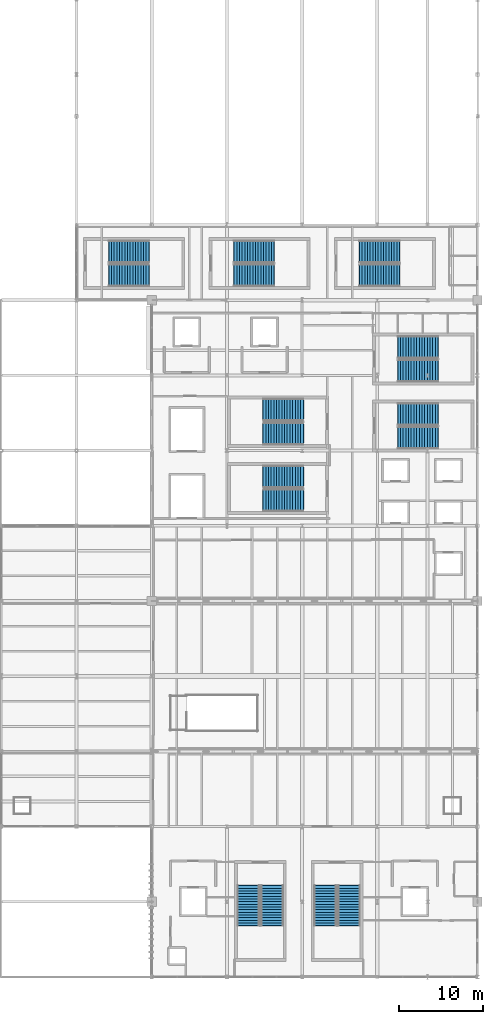
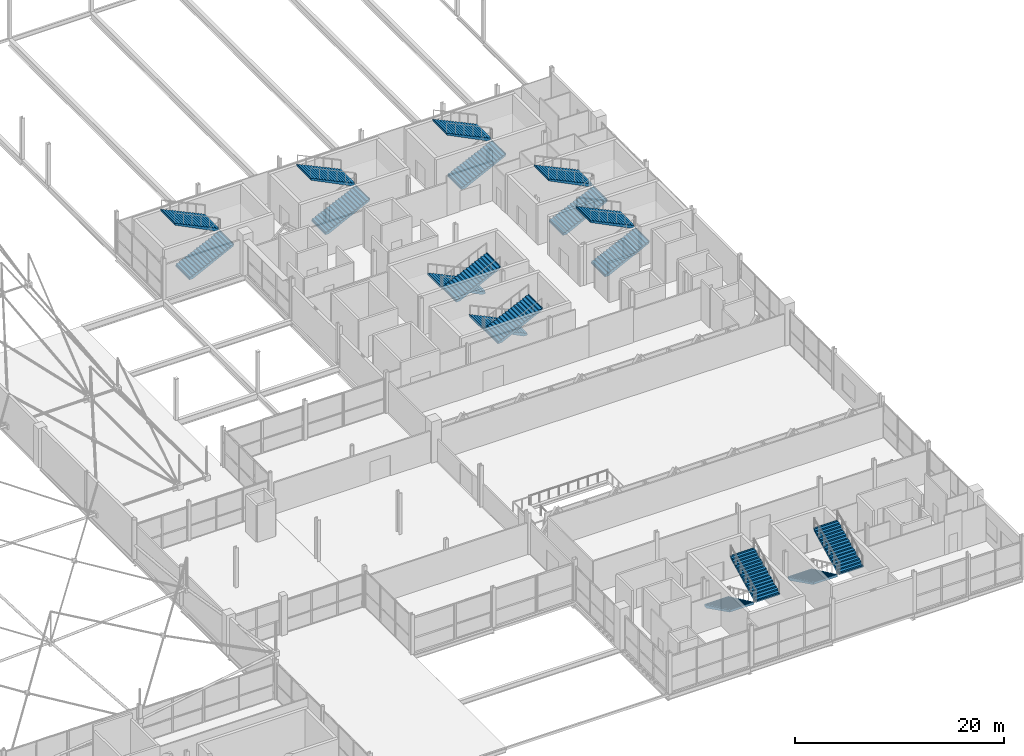
# One storey, part 202 of 224: 18 stair flights, 9 elements without a shape of their own.
"""IFC4 building model written with IfcOpenShell, lengths in metres."""

from ifc_helpers import new_model, si_unit, direction, frame, origin, place, context, subcontext, project, spatial, polyline, outline, extrude, material, type_object, element, aggregate, save


model = new_model("IFC4")

# Units and contexts
model_context = context("Model", 3, precision=1e-05, world=origin(), true_north=direction((0.0, 1.0)))
body_context = subcontext(model_context, "Body", "Model", "MODEL_VIEW")
ifc_project = project(units=[si_unit("LENGTHUNIT", "METRE"), si_unit("AREAUNIT", "SQUARE_METRE"), si_unit("VOLUMEUNIT", "CUBIC_METRE"), si_unit("PLANEANGLEUNIT", "RADIAN"), si_unit("MASSUNIT", "GRAM", prefix="KILO")], contexts=[model_context])

# Site, building, storey
site_placement = place(None, origin())
site = spatial("IfcSite", under=ifc_project, at=site_placement, CompositionType="ELEMENT")
building_placement = place(site_placement, origin())
building = spatial("IfcBuilding", under=site, at=building_placement, Name="Qamarlyn Nura Convention Centre", CompositionType="ELEMENT")
storey_placement = place(building_placement, frame((0.0, 0.0, 10.800048828125)))
storey = spatial("IfcBuildingStorey", under=building, at=storey_placement, Name="L02", CompositionType="ELEMENT", Elevation=10.800048828125)

# Stair, stair flights
ifc_material = material(Name="Concrete C40/50", Category="concrete")
stair_type = type_object("IfcStairType", Name="STAIR-EXIT-48", PredefinedType="HALF_TURN_STAIR", material=ifc_material)
stair_1_placement = place(storey_placement, origin())
stair_1 = element("IfcStair", 1, at=stair_1_placement, inside=storey, type_object=stair_type, Name="L02 Enclosed exit stair ST-09", PredefinedType="HALF_TURN_STAIR")
stair_flight_type = type_object("IfcStairFlightType", Name="FLIGHT-EXIT-48", PredefinedType="STRAIGHT", material=ifc_material)
stair_flight_1_placement = place(storey_placement, frame((164.580078125, 10.93994140625, 0.0), z_axis=(0.0, 0.0, 1.0), x_axis=(0.0, -1.0, 0.0)))
stair_flight_1 = element("IfcStairFlight", 2, at=stair_flight_1_placement, type_object=stair_flight_type, Name="ST-09 flight 1", NumberOfRisers=16, NumberOfTreads=15, PredefinedType="STRAIGHT", RiserHeight=0.15, TreadLength=0.32, context=body_context, shape_type="SweptSolid", body=[
    extrude(outline(polyline([(-0.054931640625, 0.0), (0.0, 0.0), (0.0, 0.14990234375), (0.320068359375, 0.14990234375), (0.320068359375, 0.300048828125), (0.639892578125, 0.300048828125), (0.639892578125, 0.449951171875), (0.9599609375, 0.449951171875), (0.9599609375, 0.60009765625), (1.280029296875, 0.60009765625), (1.280029296875, 0.75), (1.60009765625, 0.75), (1.60009765625, 0.89990234375), (1.919921875, 0.89990234375), (1.919921875, 1.050048828125), (2.239990234375, 1.050048828125), (2.239990234375, 1.199951171875), (2.56005859375, 1.199951171875), (2.56005859375, 1.35009765625), (2.8798828125, 1.35009765625), (2.8798828125, 1.5), (3.199951171875, 1.5), (3.199951171875, 1.64990234375), (3.52001953125, 1.64990234375), (3.52001953125, 1.800048828125), (3.840087890625, 1.800048828125), (3.840087890625, 1.949951171875), (4.159912109375, 1.949951171875), (4.159912109375, 2.10009765625), (4.47998046875, 2.10009765625), (4.47998046875, 2.25), (4.800048828125, 2.25), (4.800048828125, 2.39990234375), (4.85498046875, 2.39990234375), (4.85498046875, 2.260009765625), (4.800048828125, 2.08447265625), (0.353271484375, -0.139892578125), (-0.054931640625, -0.139892578125), (-0.054931640625, 0.0)])), frame((0.0, 1.330078125, 0.0), z_axis=(0.0, -1.0, 0.0), x_axis=(1.0, 0.0, 0.0)), (0.0, 0.0, 1.0), 2.659912109375),
])
stair_flight_2_placement = place(storey_placement, frame((167.419921875, 6.139892578125, 2.39990234375), z_axis=(0.0, 0.0, 1.0), x_axis=(0.0, 1.0, 0.0)))
stair_flight_2 = element("IfcStairFlight", 3, at=stair_flight_2_placement, type_object=stair_flight_type, Name="ST-09 flight 2", NumberOfRisers=16, NumberOfTreads=15, PredefinedType="STRAIGHT", RiserHeight=0.15, TreadLength=0.32, context=body_context, shape_type="SweptSolid", body=[
    extrude(outline(polyline([(-0.054931640625, 0.0), (0.0, 0.0), (0.0, 0.14990234375), (0.320068359375, 0.14990234375), (0.320068359375, 0.300048828125), (0.639892578125, 0.300048828125), (0.639892578125, 0.449951171875), (0.9599609375, 0.449951171875), (0.9599609375, 0.60009765625), (1.280029296875, 0.60009765625), (1.280029296875, 0.75), (1.60009765625, 0.75), (1.60009765625, 0.89990234375), (1.919921875, 0.89990234375), (1.919921875, 1.050048828125), (2.239990234375, 1.050048828125), (2.239990234375, 1.199951171875), (2.56005859375, 1.199951171875), (2.56005859375, 1.35009765625), (2.8798828125, 1.35009765625), (2.8798828125, 1.5), (3.199951171875, 1.5), (3.199951171875, 1.64990234375), (3.52001953125, 1.64990234375), (3.52001953125, 1.800048828125), (3.840087890625, 1.800048828125), (3.840087890625, 1.949951171875), (4.159912109375, 1.949951171875), (4.159912109375, 2.10009765625), (4.47998046875, 2.10009765625), (4.47998046875, 2.25), (4.800048828125, 2.25), (4.800048828125, 2.39990234375), (4.85498046875, 2.39990234375), (4.85498046875, 2.260009765625), (4.800048828125, 2.08447265625), (0.353271484375, -0.139892578125), (-0.054931640625, -0.139892578125), (-0.054931640625, 0.0)])), frame((0.0, 1.330078125, 0.0), z_axis=(0.0, -1.0, 0.0), x_axis=(1.0, 0.0, 0.0)), (0.0, 0.0, 1.0), 2.659912109375),
])
aggregate(stair_1, [stair_flight_1, stair_flight_2])

stair_2_placement = place(storey_placement, origin())
stair_2 = element("IfcStair", 4, at=stair_2_placement, inside=storey, type_object=stair_type, Name="L02 Enclosed exit stair ST-10", PredefinedType="HALF_TURN_STAIR")
stair_flight_3_placement = place(storey_placement, frame((173.780029296875, 10.93994140625, 0.0), z_axis=(0.0, 0.0, 1.0), x_axis=(0.0, -1.0, 0.0)))
stair_flight_3 = element("IfcStairFlight", 5, at=stair_flight_3_placement, type_object=stair_flight_type, Name="ST-10 flight 1", NumberOfRisers=16, NumberOfTreads=15, PredefinedType="STRAIGHT", RiserHeight=0.15, TreadLength=0.32, context=body_context, shape_type="SweptSolid", body=[
    extrude(outline(polyline([(-0.054931640625, 0.0), (0.0, 0.0), (0.0, 0.14990234375), (0.320068359375, 0.14990234375), (0.320068359375, 0.300048828125), (0.639892578125, 0.300048828125), (0.639892578125, 0.449951171875), (0.9599609375, 0.449951171875), (0.9599609375, 0.60009765625), (1.280029296875, 0.60009765625), (1.280029296875, 0.75), (1.60009765625, 0.75), (1.60009765625, 0.89990234375), (1.919921875, 0.89990234375), (1.919921875, 1.050048828125), (2.239990234375, 1.050048828125), (2.239990234375, 1.199951171875), (2.56005859375, 1.199951171875), (2.56005859375, 1.35009765625), (2.8798828125, 1.35009765625), (2.8798828125, 1.5), (3.199951171875, 1.5), (3.199951171875, 1.64990234375), (3.52001953125, 1.64990234375), (3.52001953125, 1.800048828125), (3.840087890625, 1.800048828125), (3.840087890625, 1.949951171875), (4.159912109375, 1.949951171875), (4.159912109375, 2.10009765625), (4.47998046875, 2.10009765625), (4.47998046875, 2.25), (4.800048828125, 2.25), (4.800048828125, 2.39990234375), (4.85498046875, 2.39990234375), (4.85498046875, 2.260009765625), (4.800048828125, 2.08447265625), (0.353271484375, -0.139892578125), (-0.054931640625, -0.139892578125), (-0.054931640625, 0.0)])), frame((0.0, 1.330078125, 0.0), z_axis=(0.0, -1.0, 0.0), x_axis=(1.0, 0.0, 0.0)), (0.0, 0.0, 1.0), 2.659912109375),
])
stair_flight_4_placement = place(storey_placement, frame((176.6201171875, 6.139892578125, 2.39990234375), z_axis=(0.0, 0.0, 1.0), x_axis=(0.0, 1.0, 0.0)))
stair_flight_4 = element("IfcStairFlight", 6, at=stair_flight_4_placement, type_object=stair_flight_type, Name="ST-10 flight 2", NumberOfRisers=16, NumberOfTreads=15, PredefinedType="STRAIGHT", RiserHeight=0.15, TreadLength=0.32, context=body_context, shape_type="SweptSolid", body=[
    extrude(outline(polyline([(-0.054931640625, 0.0), (0.0, 0.0), (0.0, 0.14990234375), (0.320068359375, 0.14990234375), (0.320068359375, 0.300048828125), (0.639892578125, 0.300048828125), (0.639892578125, 0.449951171875), (0.9599609375, 0.449951171875), (0.9599609375, 0.60009765625), (1.280029296875, 0.60009765625), (1.280029296875, 0.75), (1.60009765625, 0.75), (1.60009765625, 0.89990234375), (1.919921875, 0.89990234375), (1.919921875, 1.050048828125), (2.239990234375, 1.050048828125), (2.239990234375, 1.199951171875), (2.56005859375, 1.199951171875), (2.56005859375, 1.35009765625), (2.8798828125, 1.35009765625), (2.8798828125, 1.5), (3.199951171875, 1.5), (3.199951171875, 1.64990234375), (3.52001953125, 1.64990234375), (3.52001953125, 1.800048828125), (3.840087890625, 1.800048828125), (3.840087890625, 1.949951171875), (4.159912109375, 1.949951171875), (4.159912109375, 2.10009765625), (4.47998046875, 2.10009765625), (4.47998046875, 2.25), (4.800048828125, 2.25), (4.800048828125, 2.39990234375), (4.85498046875, 2.39990234375), (4.85498046875, 2.260009765625), (4.800048828125, 2.08447265625), (0.353271484375, -0.139892578125), (-0.054931640625, -0.139892578125), (-0.054931640625, 0.0)])), frame((0.0, 1.330078125, 0.0), z_axis=(0.0, -1.0, 0.0), x_axis=(1.0, 0.0, 0.0)), (0.0, 0.0, 1.0), 2.659912109375),
])
aggregate(stair_2, [stair_flight_3, stair_flight_4])

stair_3_placement = place(storey_placement, origin())
stair_3 = element("IfcStair", 7, at=stair_3_placement, inside=storey, type_object=stair_type, Name="L02 Enclosed exit stair ST-11", PredefinedType="HALF_TURN_STAIR")
stair_flight_5_placement = place(storey_placement, frame((171.139892578125, 59.8701171875, 0.0), z_axis=(0.0, 0.0, 1.0), x_axis=(-1.0, 0.0, 0.0)))
stair_flight_5 = element("IfcStairFlight", 8, at=stair_flight_5_placement, type_object=stair_flight_type, Name="ST-11 flight 1", NumberOfRisers=16, NumberOfTreads=15, PredefinedType="STRAIGHT", RiserHeight=0.15, TreadLength=0.32, context=body_context, shape_type="SweptSolid", body=[
    extrude(outline(polyline([(-0.054931640625, 0.0), (0.0, 0.0), (0.0, 0.14990234375), (0.320068359375, 0.14990234375), (0.320068359375, 0.300048828125), (0.639892578125, 0.300048828125), (0.639892578125, 0.449951171875), (0.9599609375, 0.449951171875), (0.9599609375, 0.60009765625), (1.280029296875, 0.60009765625), (1.280029296875, 0.75), (1.60009765625, 0.75), (1.60009765625, 0.89990234375), (1.919921875, 0.89990234375), (1.919921875, 1.050048828125), (2.239990234375, 1.050048828125), (2.239990234375, 1.199951171875), (2.56005859375, 1.199951171875), (2.56005859375, 1.35009765625), (2.8798828125, 1.35009765625), (2.8798828125, 1.5), (3.199951171875, 1.5), (3.199951171875, 1.64990234375), (3.52001953125, 1.64990234375), (3.52001953125, 1.800048828125), (3.840087890625, 1.800048828125), (3.840087890625, 1.949951171875), (4.159912109375, 1.949951171875), (4.159912109375, 2.10009765625), (4.47998046875, 2.10009765625), (4.47998046875, 2.25), (4.800048828125, 2.25), (4.800048828125, 2.39990234375), (4.85498046875, 2.39990234375), (4.85498046875, 2.260009765625), (4.800048828125, 2.08447265625), (0.353271484375, -0.139892578125), (-0.054931640625, -0.139892578125), (-0.054931640625, 0.0)])), frame((0.0, 1.330078125, 0.0), z_axis=(0.0, -1.0, 0.0), x_axis=(1.0, 0.0, 0.0)), (0.0, 0.0, 1.0), 2.659912109375),
])
stair_flight_6_placement = place(storey_placement, frame((166.340087890625, 57.030029296875, 2.39990234375), z_axis=(0.0, 0.0, 1.0), x_axis=(1.0, 0.0, 0.0)))
stair_flight_6 = element("IfcStairFlight", 9, at=stair_flight_6_placement, type_object=stair_flight_type, Name="ST-11 flight 2", NumberOfRisers=16, NumberOfTreads=15, PredefinedType="STRAIGHT", RiserHeight=0.15, TreadLength=0.32, context=body_context, shape_type="SweptSolid", body=[
    extrude(outline(polyline([(-0.054931640625, 0.0), (0.0, 0.0), (0.0, 0.14990234375), (0.320068359375, 0.14990234375), (0.320068359375, 0.300048828125), (0.639892578125, 0.300048828125), (0.639892578125, 0.449951171875), (0.9599609375, 0.449951171875), (0.9599609375, 0.60009765625), (1.280029296875, 0.60009765625), (1.280029296875, 0.75), (1.60009765625, 0.75), (1.60009765625, 0.89990234375), (1.919921875, 0.89990234375), (1.919921875, 1.050048828125), (2.239990234375, 1.050048828125), (2.239990234375, 1.199951171875), (2.56005859375, 1.199951171875), (2.56005859375, 1.35009765625), (2.8798828125, 1.35009765625), (2.8798828125, 1.5), (3.199951171875, 1.5), (3.199951171875, 1.64990234375), (3.52001953125, 1.64990234375), (3.52001953125, 1.800048828125), (3.840087890625, 1.800048828125), (3.840087890625, 1.949951171875), (4.159912109375, 1.949951171875), (4.159912109375, 2.10009765625), (4.47998046875, 2.10009765625), (4.47998046875, 2.25), (4.800048828125, 2.25), (4.800048828125, 2.39990234375), (4.85498046875, 2.39990234375), (4.85498046875, 2.260009765625), (4.800048828125, 2.08447265625), (0.353271484375, -0.139892578125), (-0.054931640625, -0.139892578125), (-0.054931640625, 0.0)])), frame((0.0, 1.330078125, 0.0), z_axis=(0.0, -1.0, 0.0), x_axis=(1.0, 0.0, 0.0)), (0.0, 0.0, 1.0), 2.659912109375),
])
aggregate(stair_3, [stair_flight_5, stair_flight_6])

stair_4_placement = place(storey_placement, origin())
stair_4 = element("IfcStair", 10, at=stair_4_placement, inside=storey, type_object=stair_type, Name="L02 Enclosed exit stair ST-12", PredefinedType="HALF_TURN_STAIR")
stair_flight_7_placement = place(storey_placement, frame((171.139892578125, 67.8701171875, 0.0), z_axis=(0.0, 0.0, 1.0), x_axis=(-1.0, 0.0, 0.0)))
stair_flight_7 = element("IfcStairFlight", 11, at=stair_flight_7_placement, type_object=stair_flight_type, Name="ST-12 flight 1", NumberOfRisers=16, NumberOfTreads=15, PredefinedType="STRAIGHT", RiserHeight=0.15, TreadLength=0.32, context=body_context, shape_type="SweptSolid", body=[
    extrude(outline(polyline([(-0.054931640625, 0.0), (0.0, 0.0), (0.0, 0.14990234375), (0.320068359375, 0.14990234375), (0.320068359375, 0.300048828125), (0.639892578125, 0.300048828125), (0.639892578125, 0.449951171875), (0.9599609375, 0.449951171875), (0.9599609375, 0.60009765625), (1.280029296875, 0.60009765625), (1.280029296875, 0.75), (1.60009765625, 0.75), (1.60009765625, 0.89990234375), (1.919921875, 0.89990234375), (1.919921875, 1.050048828125), (2.239990234375, 1.050048828125), (2.239990234375, 1.199951171875), (2.56005859375, 1.199951171875), (2.56005859375, 1.35009765625), (2.8798828125, 1.35009765625), (2.8798828125, 1.5), (3.199951171875, 1.5), (3.199951171875, 1.64990234375), (3.52001953125, 1.64990234375), (3.52001953125, 1.800048828125), (3.840087890625, 1.800048828125), (3.840087890625, 1.949951171875), (4.159912109375, 1.949951171875), (4.159912109375, 2.10009765625), (4.47998046875, 2.10009765625), (4.47998046875, 2.25), (4.800048828125, 2.25), (4.800048828125, 2.39990234375), (4.85498046875, 2.39990234375), (4.85498046875, 2.260009765625), (4.800048828125, 2.08447265625), (0.353271484375, -0.139892578125), (-0.054931640625, -0.139892578125), (-0.054931640625, 0.0)])), frame((0.0, 1.330078125, 0.0), z_axis=(0.0, -1.0, 0.0), x_axis=(1.0, 0.0, 0.0)), (0.0, 0.0, 1.0), 2.659912109375),
])
stair_flight_8_placement = place(storey_placement, frame((166.340087890625, 65.030029296875, 2.39990234375), z_axis=(0.0, 0.0, 1.0), x_axis=(1.0, 0.0, 0.0)))
stair_flight_8 = element("IfcStairFlight", 12, at=stair_flight_8_placement, type_object=stair_flight_type, Name="ST-12 flight 2", NumberOfRisers=16, NumberOfTreads=15, PredefinedType="STRAIGHT", RiserHeight=0.15, TreadLength=0.32, context=body_context, shape_type="SweptSolid", body=[
    extrude(outline(polyline([(-0.054931640625, 0.0), (0.0, 0.0), (0.0, 0.14990234375), (0.320068359375, 0.14990234375), (0.320068359375, 0.300048828125), (0.639892578125, 0.300048828125), (0.639892578125, 0.449951171875), (0.9599609375, 0.449951171875), (0.9599609375, 0.60009765625), (1.280029296875, 0.60009765625), (1.280029296875, 0.75), (1.60009765625, 0.75), (1.60009765625, 0.89990234375), (1.919921875, 0.89990234375), (1.919921875, 1.050048828125), (2.239990234375, 1.050048828125), (2.239990234375, 1.199951171875), (2.56005859375, 1.199951171875), (2.56005859375, 1.35009765625), (2.8798828125, 1.35009765625), (2.8798828125, 1.5), (3.199951171875, 1.5), (3.199951171875, 1.64990234375), (3.52001953125, 1.64990234375), (3.52001953125, 1.800048828125), (3.840087890625, 1.800048828125), (3.840087890625, 1.949951171875), (4.159912109375, 1.949951171875), (4.159912109375, 2.10009765625), (4.47998046875, 2.10009765625), (4.47998046875, 2.25), (4.800048828125, 2.25), (4.800048828125, 2.39990234375), (4.85498046875, 2.39990234375), (4.85498046875, 2.260009765625), (4.800048828125, 2.08447265625), (0.353271484375, -0.139892578125), (-0.054931640625, -0.139892578125), (-0.054931640625, 0.0)])), frame((0.0, 1.330078125, 0.0), z_axis=(0.0, -1.0, 0.0), x_axis=(1.0, 0.0, 0.0)), (0.0, 0.0, 1.0), 2.659912109375),
])
aggregate(stair_4, [stair_flight_7, stair_flight_8])

stair_5_placement = place(storey_placement, origin())
stair_5 = element("IfcStair", 13, at=stair_5_placement, inside=storey, type_object=stair_type, Name="L02 Enclosed exit stair ST-13", PredefinedType="HALF_TURN_STAIR")
stair_flight_9_placement = place(storey_placement, frame((182.4599609375, 64.530029296875, 0.0), z_axis=(0.0, 0.0, 1.0), x_axis=(1.0, 0.0, 0.0)))
stair_flight_9 = element("IfcStairFlight", 14, at=stair_flight_9_placement, type_object=stair_flight_type, Name="ST-13 flight 1", NumberOfRisers=16, NumberOfTreads=15, PredefinedType="STRAIGHT", RiserHeight=0.15, TreadLength=0.32, context=body_context, shape_type="SweptSolid", body=[
    extrude(outline(polyline([(-0.054931640625, 0.0), (0.0, 0.0), (0.0, 0.14990234375), (0.320068359375, 0.14990234375), (0.320068359375, 0.300048828125), (0.639892578125, 0.300048828125), (0.639892578125, 0.449951171875), (0.9599609375, 0.449951171875), (0.9599609375, 0.60009765625), (1.280029296875, 0.60009765625), (1.280029296875, 0.75), (1.60009765625, 0.75), (1.60009765625, 0.89990234375), (1.919921875, 0.89990234375), (1.919921875, 1.050048828125), (2.239990234375, 1.050048828125), (2.239990234375, 1.199951171875), (2.56005859375, 1.199951171875), (2.56005859375, 1.35009765625), (2.8798828125, 1.35009765625), (2.8798828125, 1.5), (3.199951171875, 1.5), (3.199951171875, 1.64990234375), (3.52001953125, 1.64990234375), (3.52001953125, 1.800048828125), (3.840087890625, 1.800048828125), (3.840087890625, 1.949951171875), (4.159912109375, 1.949951171875), (4.159912109375, 2.10009765625), (4.47998046875, 2.10009765625), (4.47998046875, 2.25), (4.800048828125, 2.25), (4.800048828125, 2.39990234375), (4.85498046875, 2.39990234375), (4.85498046875, 2.260009765625), (4.800048828125, 2.08447265625), (0.353271484375, -0.139892578125), (-0.054931640625, -0.139892578125), (-0.054931640625, 0.0)])), frame((0.0, 1.330078125, 0.0), z_axis=(0.0, -1.0, 0.0), x_axis=(1.0, 0.0, 0.0)), (0.0, 0.0, 1.0), 2.659912109375),
])
stair_flight_10_placement = place(storey_placement, frame((187.260009765625, 67.3701171875, 2.39990234375), z_axis=(0.0, 0.0, 1.0), x_axis=(-1.0, 0.0, 0.0)))
stair_flight_10 = element("IfcStairFlight", 15, at=stair_flight_10_placement, type_object=stair_flight_type, Name="ST-13 flight 2", NumberOfRisers=16, NumberOfTreads=15, PredefinedType="STRAIGHT", RiserHeight=0.15, TreadLength=0.32, context=body_context, shape_type="SweptSolid", body=[
    extrude(outline(polyline([(-0.054931640625, 0.0), (0.0, 0.0), (0.0, 0.14990234375), (0.320068359375, 0.14990234375), (0.320068359375, 0.300048828125), (0.639892578125, 0.300048828125), (0.639892578125, 0.449951171875), (0.9599609375, 0.449951171875), (0.9599609375, 0.60009765625), (1.280029296875, 0.60009765625), (1.280029296875, 0.75), (1.60009765625, 0.75), (1.60009765625, 0.89990234375), (1.919921875, 0.89990234375), (1.919921875, 1.050048828125), (2.239990234375, 1.050048828125), (2.239990234375, 1.199951171875), (2.56005859375, 1.199951171875), (2.56005859375, 1.35009765625), (2.8798828125, 1.35009765625), (2.8798828125, 1.5), (3.199951171875, 1.5), (3.199951171875, 1.64990234375), (3.52001953125, 1.64990234375), (3.52001953125, 1.800048828125), (3.840087890625, 1.800048828125), (3.840087890625, 1.949951171875), (4.159912109375, 1.949951171875), (4.159912109375, 2.10009765625), (4.47998046875, 2.10009765625), (4.47998046875, 2.25), (4.800048828125, 2.25), (4.800048828125, 2.39990234375), (4.85498046875, 2.39990234375), (4.85498046875, 2.260009765625), (4.800048828125, 2.08447265625), (0.353271484375, -0.139892578125), (-0.054931640625, -0.139892578125), (-0.054931640625, 0.0)])), frame((0.0, 1.330078125, 0.0), z_axis=(0.0, -1.0, 0.0), x_axis=(1.0, 0.0, 0.0)), (0.0, 0.0, 1.0), 2.659912109375),
])
aggregate(stair_5, [stair_flight_9, stair_flight_10])

stair_6_placement = place(storey_placement, origin())
stair_6 = element("IfcStair", 16, at=stair_6_placement, inside=storey, type_object=stair_type, Name="L02 Enclosed exit stair ST-14", PredefinedType="HALF_TURN_STAIR")
stair_flight_11_placement = place(storey_placement, frame((182.4599609375, 72.530029296875, 0.0), z_axis=(0.0, 0.0, 1.0), x_axis=(1.0, 0.0, 0.0)))
stair_flight_11 = element("IfcStairFlight", 17, at=stair_flight_11_placement, type_object=stair_flight_type, Name="ST-14 flight 1", NumberOfRisers=16, NumberOfTreads=15, PredefinedType="STRAIGHT", RiserHeight=0.15, TreadLength=0.32, context=body_context, shape_type="SweptSolid", body=[
    extrude(outline(polyline([(-0.054931640625, 0.0), (0.0, 0.0), (0.0, 0.14990234375), (0.320068359375, 0.14990234375), (0.320068359375, 0.300048828125), (0.639892578125, 0.300048828125), (0.639892578125, 0.449951171875), (0.9599609375, 0.449951171875), (0.9599609375, 0.60009765625), (1.280029296875, 0.60009765625), (1.280029296875, 0.75), (1.60009765625, 0.75), (1.60009765625, 0.89990234375), (1.919921875, 0.89990234375), (1.919921875, 1.050048828125), (2.239990234375, 1.050048828125), (2.239990234375, 1.199951171875), (2.56005859375, 1.199951171875), (2.56005859375, 1.35009765625), (2.8798828125, 1.35009765625), (2.8798828125, 1.5), (3.199951171875, 1.5), (3.199951171875, 1.64990234375), (3.52001953125, 1.64990234375), (3.52001953125, 1.800048828125), (3.840087890625, 1.800048828125), (3.840087890625, 1.949951171875), (4.159912109375, 1.949951171875), (4.159912109375, 2.10009765625), (4.47998046875, 2.10009765625), (4.47998046875, 2.25), (4.800048828125, 2.25), (4.800048828125, 2.39990234375), (4.85498046875, 2.39990234375), (4.85498046875, 2.260009765625), (4.800048828125, 2.08447265625), (0.353271484375, -0.139892578125), (-0.054931640625, -0.139892578125), (-0.054931640625, 0.0)])), frame((0.0, 1.330078125, 0.0), z_axis=(0.0, -1.0, 0.0), x_axis=(1.0, 0.0, 0.0)), (0.0, 0.0, 1.0), 2.659912109375),
])
stair_flight_12_placement = place(storey_placement, frame((187.260009765625, 75.3701171875, 2.39990234375), z_axis=(0.0, 0.0, 1.0), x_axis=(-1.0, 0.0, 0.0)))
stair_flight_12 = element("IfcStairFlight", 18, at=stair_flight_12_placement, type_object=stair_flight_type, Name="ST-14 flight 2", NumberOfRisers=16, NumberOfTreads=15, PredefinedType="STRAIGHT", RiserHeight=0.15, TreadLength=0.32, context=body_context, shape_type="SweptSolid", body=[
    extrude(outline(polyline([(-0.054931640625, 0.0), (0.0, 0.0), (0.0, 0.14990234375), (0.320068359375, 0.14990234375), (0.320068359375, 0.300048828125), (0.639892578125, 0.300048828125), (0.639892578125, 0.449951171875), (0.9599609375, 0.449951171875), (0.9599609375, 0.60009765625), (1.280029296875, 0.60009765625), (1.280029296875, 0.75), (1.60009765625, 0.75), (1.60009765625, 0.89990234375), (1.919921875, 0.89990234375), (1.919921875, 1.050048828125), (2.239990234375, 1.050048828125), (2.239990234375, 1.199951171875), (2.56005859375, 1.199951171875), (2.56005859375, 1.35009765625), (2.8798828125, 1.35009765625), (2.8798828125, 1.5), (3.199951171875, 1.5), (3.199951171875, 1.64990234375), (3.52001953125, 1.64990234375), (3.52001953125, 1.800048828125), (3.840087890625, 1.800048828125), (3.840087890625, 1.949951171875), (4.159912109375, 1.949951171875), (4.159912109375, 2.10009765625), (4.47998046875, 2.10009765625), (4.47998046875, 2.25), (4.800048828125, 2.25), (4.800048828125, 2.39990234375), (4.85498046875, 2.39990234375), (4.85498046875, 2.260009765625), (4.800048828125, 2.08447265625), (0.353271484375, -0.139892578125), (-0.054931640625, -0.139892578125), (-0.054931640625, 0.0)])), frame((0.0, 1.330078125, 0.0), z_axis=(0.0, -1.0, 0.0), x_axis=(1.0, 0.0, 0.0)), (0.0, 0.0, 1.0), 2.659912109375),
])
aggregate(stair_6, [stair_flight_11, stair_flight_12])

stair_7_placement = place(storey_placement, origin())
stair_7 = element("IfcStair", 19, at=stair_7_placement, inside=storey, type_object=stair_type, Name="L02 Enclosed exit stair ST-15", PredefinedType="HALF_TURN_STAIR")
stair_flight_13_placement = place(storey_placement, frame((147.860107421875, 83.97998046875, 0.0), z_axis=(0.0, 0.0, 1.0), x_axis=(1.0, 0.0, 0.0)))
stair_flight_13 = element("IfcStairFlight", 20, at=stair_flight_13_placement, type_object=stair_flight_type, Name="ST-15 flight 1", NumberOfRisers=16, NumberOfTreads=15, PredefinedType="STRAIGHT", RiserHeight=0.15, TreadLength=0.32, context=body_context, shape_type="SweptSolid", body=[
    extrude(outline(polyline([(-0.054931640625, 0.0), (0.0, 0.0), (0.0, 0.14990234375), (0.320068359375, 0.14990234375), (0.320068359375, 0.300048828125), (0.639892578125, 0.300048828125), (0.639892578125, 0.449951171875), (0.9599609375, 0.449951171875), (0.9599609375, 0.60009765625), (1.280029296875, 0.60009765625), (1.280029296875, 0.75), (1.60009765625, 0.75), (1.60009765625, 0.89990234375), (1.919921875, 0.89990234375), (1.919921875, 1.050048828125), (2.239990234375, 1.050048828125), (2.239990234375, 1.199951171875), (2.56005859375, 1.199951171875), (2.56005859375, 1.35009765625), (2.8798828125, 1.35009765625), (2.8798828125, 1.5), (3.199951171875, 1.5), (3.199951171875, 1.64990234375), (3.52001953125, 1.64990234375), (3.52001953125, 1.800048828125), (3.840087890625, 1.800048828125), (3.840087890625, 1.949951171875), (4.159912109375, 1.949951171875), (4.159912109375, 2.10009765625), (4.47998046875, 2.10009765625), (4.47998046875, 2.25), (4.800048828125, 2.25), (4.800048828125, 2.39990234375), (4.85498046875, 2.39990234375), (4.85498046875, 2.260009765625), (4.800048828125, 2.08447265625), (0.353271484375, -0.139892578125), (-0.054931640625, -0.139892578125), (-0.054931640625, 0.0)])), frame((0.0, 1.330078125, 0.0), z_axis=(0.0, -1.0, 0.0), x_axis=(1.0, 0.0, 0.0)), (0.0, 0.0, 1.0), 2.659912109375),
])
stair_flight_14_placement = place(storey_placement, frame((152.659912109375, 86.820068359375, 2.39990234375), z_axis=(0.0, 0.0, 1.0), x_axis=(-1.0, 0.0, 0.0)))
stair_flight_14 = element("IfcStairFlight", 21, at=stair_flight_14_placement, type_object=stair_flight_type, Name="ST-15 flight 2", NumberOfRisers=16, NumberOfTreads=15, PredefinedType="STRAIGHT", RiserHeight=0.15, TreadLength=0.32, context=body_context, shape_type="SweptSolid", body=[
    extrude(outline(polyline([(-0.054931640625, 0.0), (0.0, 0.0), (0.0, 0.14990234375), (0.320068359375, 0.14990234375), (0.320068359375, 0.300048828125), (0.639892578125, 0.300048828125), (0.639892578125, 0.449951171875), (0.9599609375, 0.449951171875), (0.9599609375, 0.60009765625), (1.280029296875, 0.60009765625), (1.280029296875, 0.75), (1.60009765625, 0.75), (1.60009765625, 0.89990234375), (1.919921875, 0.89990234375), (1.919921875, 1.050048828125), (2.239990234375, 1.050048828125), (2.239990234375, 1.199951171875), (2.56005859375, 1.199951171875), (2.56005859375, 1.35009765625), (2.8798828125, 1.35009765625), (2.8798828125, 1.5), (3.199951171875, 1.5), (3.199951171875, 1.64990234375), (3.52001953125, 1.64990234375), (3.52001953125, 1.800048828125), (3.840087890625, 1.800048828125), (3.840087890625, 1.949951171875), (4.159912109375, 1.949951171875), (4.159912109375, 2.10009765625), (4.47998046875, 2.10009765625), (4.47998046875, 2.25), (4.800048828125, 2.25), (4.800048828125, 2.39990234375), (4.85498046875, 2.39990234375), (4.85498046875, 2.260009765625), (4.800048828125, 2.08447265625), (0.353271484375, -0.139892578125), (-0.054931640625, -0.139892578125), (-0.054931640625, 0.0)])), frame((0.0, 1.330078125, 0.0), z_axis=(0.0, -1.0, 0.0), x_axis=(1.0, 0.0, 0.0)), (0.0, 0.0, 1.0), 2.659912109375),
])
aggregate(stair_7, [stair_flight_13, stair_flight_14])

stair_8_placement = place(storey_placement, origin())
stair_8 = element("IfcStair", 22, at=stair_8_placement, inside=storey, type_object=stair_type, Name="L02 Enclosed exit stair ST-16", PredefinedType="HALF_TURN_STAIR")
stair_flight_15_placement = place(storey_placement, frame((162.860107421875, 83.97998046875, 0.0), z_axis=(0.0, 0.0, 1.0), x_axis=(1.0, 0.0, 0.0)))
stair_flight_15 = element("IfcStairFlight", 23, at=stair_flight_15_placement, type_object=stair_flight_type, Name="ST-16 flight 1", NumberOfRisers=16, NumberOfTreads=15, PredefinedType="STRAIGHT", RiserHeight=0.15, TreadLength=0.32, context=body_context, shape_type="SweptSolid", body=[
    extrude(outline(polyline([(-0.054931640625, 0.0), (0.0, 0.0), (0.0, 0.14990234375), (0.320068359375, 0.14990234375), (0.320068359375, 0.300048828125), (0.639892578125, 0.300048828125), (0.639892578125, 0.449951171875), (0.9599609375, 0.449951171875), (0.9599609375, 0.60009765625), (1.280029296875, 0.60009765625), (1.280029296875, 0.75), (1.60009765625, 0.75), (1.60009765625, 0.89990234375), (1.919921875, 0.89990234375), (1.919921875, 1.050048828125), (2.239990234375, 1.050048828125), (2.239990234375, 1.199951171875), (2.56005859375, 1.199951171875), (2.56005859375, 1.35009765625), (2.8798828125, 1.35009765625), (2.8798828125, 1.5), (3.199951171875, 1.5), (3.199951171875, 1.64990234375), (3.52001953125, 1.64990234375), (3.52001953125, 1.800048828125), (3.840087890625, 1.800048828125), (3.840087890625, 1.949951171875), (4.159912109375, 1.949951171875), (4.159912109375, 2.10009765625), (4.47998046875, 2.10009765625), (4.47998046875, 2.25), (4.800048828125, 2.25), (4.800048828125, 2.39990234375), (4.85498046875, 2.39990234375), (4.85498046875, 2.260009765625), (4.800048828125, 2.08447265625), (0.353271484375, -0.139892578125), (-0.054931640625, -0.139892578125), (-0.054931640625, 0.0)])), frame((0.0, 1.330078125, 0.0), z_axis=(0.0, -1.0, 0.0), x_axis=(1.0, 0.0, 0.0)), (0.0, 0.0, 1.0), 2.659912109375),
])
stair_flight_16_placement = place(storey_placement, frame((167.659912109375, 86.820068359375, 2.39990234375), z_axis=(0.0, 0.0, 1.0), x_axis=(-1.0, 0.0, 0.0)))
stair_flight_16 = element("IfcStairFlight", 24, at=stair_flight_16_placement, type_object=stair_flight_type, Name="ST-16 flight 2", NumberOfRisers=16, NumberOfTreads=15, PredefinedType="STRAIGHT", RiserHeight=0.15, TreadLength=0.32, context=body_context, shape_type="SweptSolid", body=[
    extrude(outline(polyline([(-0.054931640625, 0.0), (0.0, 0.0), (0.0, 0.14990234375), (0.320068359375, 0.14990234375), (0.320068359375, 0.300048828125), (0.639892578125, 0.300048828125), (0.639892578125, 0.449951171875), (0.9599609375, 0.449951171875), (0.9599609375, 0.60009765625), (1.280029296875, 0.60009765625), (1.280029296875, 0.75), (1.60009765625, 0.75), (1.60009765625, 0.89990234375), (1.919921875, 0.89990234375), (1.919921875, 1.050048828125), (2.239990234375, 1.050048828125), (2.239990234375, 1.199951171875), (2.56005859375, 1.199951171875), (2.56005859375, 1.35009765625), (2.8798828125, 1.35009765625), (2.8798828125, 1.5), (3.199951171875, 1.5), (3.199951171875, 1.64990234375), (3.52001953125, 1.64990234375), (3.52001953125, 1.800048828125), (3.840087890625, 1.800048828125), (3.840087890625, 1.949951171875), (4.159912109375, 1.949951171875), (4.159912109375, 2.10009765625), (4.47998046875, 2.10009765625), (4.47998046875, 2.25), (4.800048828125, 2.25), (4.800048828125, 2.39990234375), (4.85498046875, 2.39990234375), (4.85498046875, 2.260009765625), (4.800048828125, 2.08447265625), (0.353271484375, -0.139892578125), (-0.054931640625, -0.139892578125), (-0.054931640625, 0.0)])), frame((0.0, 1.330078125, 0.0), z_axis=(0.0, -1.0, 0.0), x_axis=(1.0, 0.0, 0.0)), (0.0, 0.0, 1.0), 2.659912109375),
])
aggregate(stair_8, [stair_flight_15, stair_flight_16])

stair_9_placement = place(storey_placement, origin())
stair_9 = element("IfcStair", 25, at=stair_9_placement, inside=storey, type_object=stair_type, Name="L02 Enclosed exit stair ST-17", PredefinedType="HALF_TURN_STAIR")
stair_flight_17_placement = place(storey_placement, frame((177.860107421875, 83.97998046875, 0.0), z_axis=(0.0, 0.0, 1.0), x_axis=(1.0, 0.0, 0.0)))
stair_flight_17 = element("IfcStairFlight", 26, at=stair_flight_17_placement, type_object=stair_flight_type, Name="ST-17 flight 1", NumberOfRisers=16, NumberOfTreads=15, PredefinedType="STRAIGHT", RiserHeight=0.15, TreadLength=0.32, context=body_context, shape_type="SweptSolid", body=[
    extrude(outline(polyline([(-0.054931640625, 0.0), (0.0, 0.0), (0.0, 0.14990234375), (0.320068359375, 0.14990234375), (0.320068359375, 0.300048828125), (0.639892578125, 0.300048828125), (0.639892578125, 0.449951171875), (0.9599609375, 0.449951171875), (0.9599609375, 0.60009765625), (1.280029296875, 0.60009765625), (1.280029296875, 0.75), (1.60009765625, 0.75), (1.60009765625, 0.89990234375), (1.919921875, 0.89990234375), (1.919921875, 1.050048828125), (2.239990234375, 1.050048828125), (2.239990234375, 1.199951171875), (2.56005859375, 1.199951171875), (2.56005859375, 1.35009765625), (2.8798828125, 1.35009765625), (2.8798828125, 1.5), (3.199951171875, 1.5), (3.199951171875, 1.64990234375), (3.52001953125, 1.64990234375), (3.52001953125, 1.800048828125), (3.840087890625, 1.800048828125), (3.840087890625, 1.949951171875), (4.159912109375, 1.949951171875), (4.159912109375, 2.10009765625), (4.47998046875, 2.10009765625), (4.47998046875, 2.25), (4.800048828125, 2.25), (4.800048828125, 2.39990234375), (4.85498046875, 2.39990234375), (4.85498046875, 2.260009765625), (4.800048828125, 2.08447265625), (0.353271484375, -0.139892578125), (-0.054931640625, -0.139892578125), (-0.054931640625, 0.0)])), frame((0.0, 1.330078125, 0.0), z_axis=(0.0, -1.0, 0.0), x_axis=(1.0, 0.0, 0.0)), (0.0, 0.0, 1.0), 2.659912109375),
])
stair_flight_18_placement = place(storey_placement, frame((182.659912109375, 86.820068359375, 2.39990234375), z_axis=(0.0, 0.0, 1.0), x_axis=(-1.0, 0.0, 0.0)))
stair_flight_18 = element("IfcStairFlight", 27, at=stair_flight_18_placement, type_object=stair_flight_type, Name="ST-17 flight 2", NumberOfRisers=16, NumberOfTreads=15, PredefinedType="STRAIGHT", RiserHeight=0.15, TreadLength=0.32, context=body_context, shape_type="SweptSolid", body=[
    extrude(outline(polyline([(-0.054931640625, 0.0), (0.0, 0.0), (0.0, 0.14990234375), (0.320068359375, 0.14990234375), (0.320068359375, 0.300048828125), (0.639892578125, 0.300048828125), (0.639892578125, 0.449951171875), (0.9599609375, 0.449951171875), (0.9599609375, 0.60009765625), (1.280029296875, 0.60009765625), (1.280029296875, 0.75), (1.60009765625, 0.75), (1.60009765625, 0.89990234375), (1.919921875, 0.89990234375), (1.919921875, 1.050048828125), (2.239990234375, 1.050048828125), (2.239990234375, 1.199951171875), (2.56005859375, 1.199951171875), (2.56005859375, 1.35009765625), (2.8798828125, 1.35009765625), (2.8798828125, 1.5), (3.199951171875, 1.5), (3.199951171875, 1.64990234375), (3.52001953125, 1.64990234375), (3.52001953125, 1.800048828125), (3.840087890625, 1.800048828125), (3.840087890625, 1.949951171875), (4.159912109375, 1.949951171875), (4.159912109375, 2.10009765625), (4.47998046875, 2.10009765625), (4.47998046875, 2.25), (4.800048828125, 2.25), (4.800048828125, 2.39990234375), (4.85498046875, 2.39990234375), (4.85498046875, 2.260009765625), (4.800048828125, 2.08447265625), (0.353271484375, -0.139892578125), (-0.054931640625, -0.139892578125), (-0.054931640625, 0.0)])), frame((0.0, 1.330078125, 0.0), z_axis=(0.0, -1.0, 0.0), x_axis=(1.0, 0.0, 0.0)), (0.0, 0.0, 1.0), 2.659912109375),
])
aggregate(stair_9, [stair_flight_17, stair_flight_18])

save(model, "model.ifc")
